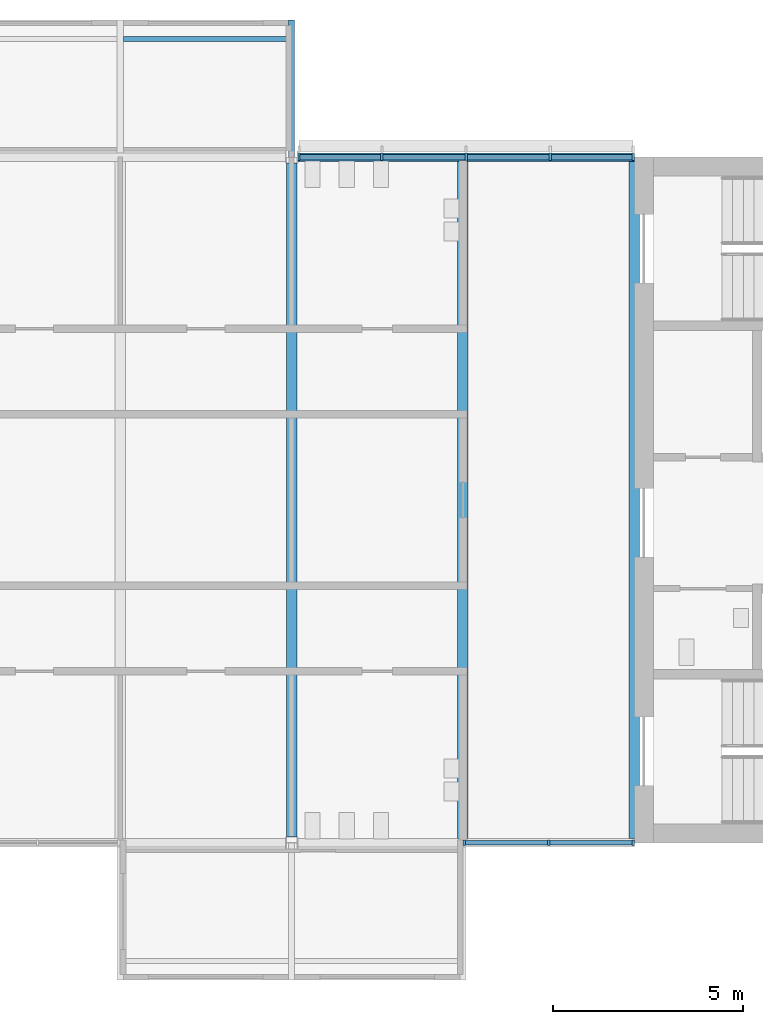
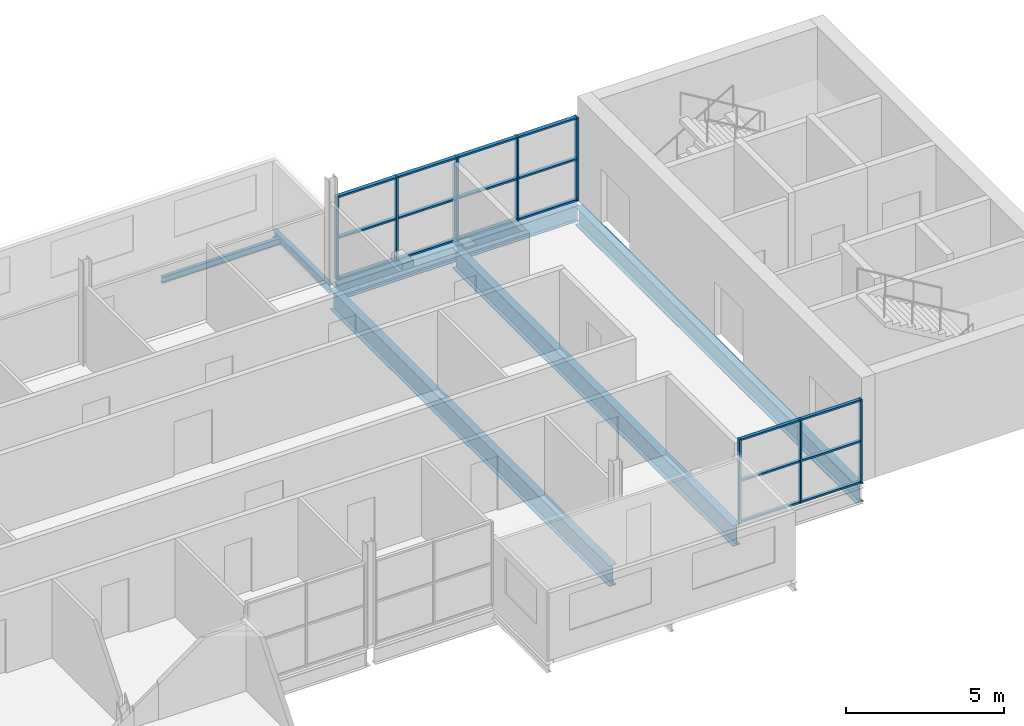
# One storey, part 3 of 10: 26 members, 6 beams, 2 elements without a shape of their own.
"""IFC4 building model written with IfcOpenShell, lengths in metres."""

import ifcopenshell
import ifcopenshell.guid

model = None  # the IFC model being written
_history = None  # IfcOwnerHistory: only IFC2X3 demands one
_inside = {}  # id of a spatial element -> (the spatial element, [elements in it])
_under = {}  # id of a project, library or spatial element -> (it, [spatial elements below it])
_declared = {}  # id of a project -> (the project, [libraries it declares])
_typed = {}  # id of a type object -> (the type object, [elements of that type])
_made_of = {}  # id of a material, layer set ... -> (it, [elements and type objects made of it])


def new_model(schema):
    """Start an empty IFC model of exactly this schema.

    Asked for "IFC4X3", IfcOpenShell would pick the latest addendum, in which some entities
    have other attributes; the version numbers below select the first issue.
    IFC2X3 requires an IfcOwnerHistory on every rooted entity: one is made here for all.
    """
    global model, _history
    if schema == "IFC4X3":
        model = ifcopenshell.file(schema_version=(4, 3, 0, 0))
    else:
        model = ifcopenshell.file(schema=schema)
    _inside.clear()
    _under.clear()
    _declared.clear()
    _typed.clear()
    _made_of.clear()
    _history = None
    if model.schema == "IFC2X3":
        org = make("IfcOrganization", Name="unknown")
        user = make(
            "IfcPersonAndOrganization",
            ThePerson=make("IfcPerson", FamilyName="unknown"),
            TheOrganization=org,
        )
        app = make(
            "IfcApplication",
            ApplicationDeveloper=org,
            Version="unknown",
            ApplicationFullName="unknown",
            ApplicationIdentifier="unknown",
        )
        _history = make(
            "IfcOwnerHistory",
            OwningUser=user,
            OwningApplication=app,
            ChangeAction="ADDED",
            CreationDate=0,
        )
    return model


def make(cls, **values):
    """One entity of the class cls with the attributes given. An attribute that is None is left unset."""
    return model.create_entity(
        cls, **{name: value for name, value in values.items() if value is not None}
    )


def rooted(cls, **values):
    """An entity with a GlobalId (a new one), such as an element, a storey or a relation."""
    return make(cls, GlobalId=ifcopenshell.guid.new(), OwnerHistory=_history, **values)


def si_unit(unit_type, name, prefix=None):
    """IfcSIUnit, for example si_unit("LENGTHUNIT", "METRE", prefix="MILLI")."""
    return make("IfcSIUnit", UnitType=unit_type, Prefix=prefix, Name=name)


def assignment(units):
    """IfcUnitAssignment: the units of a project."""
    return None if units is None else make("IfcUnitAssignment", Units=units)


def point(xyz):
    """IfcCartesianPoint."""
    return None if xyz is None else make("IfcCartesianPoint", Coordinates=xyz)


def direction(xyz):
    """IfcDirection."""
    return None if xyz is None else make("IfcDirection", DirectionRatios=xyz)


def frame(location, z_axis=None, x_axis=None):
    """IfcAxis2Placement3D, a coordinate frame: its origin and axes. An axis left out is left unset."""
    return make(
        "IfcAxis2Placement3D",
        Location=point(location),
        Axis=direction(z_axis),
        RefDirection=direction(x_axis),
    )


def frame_2d(location, x_axis=None):
    """IfcAxis2Placement2D, a coordinate frame in the plane: its origin and x axis."""
    return make(
        "IfcAxis2Placement2D", Location=point(location), RefDirection=direction(x_axis)
    )


def origin():
    """The frame at (0, 0, 0) with its axes left unset."""
    return frame((0.0, 0.0, 0.0))


def origin_2d():
    """The frame at (0, 0) in the plane with its x axis left unset."""
    return frame_2d((0.0, 0.0))


def place(relative_to, where):
    """IfcLocalPlacement: puts the frame where relative to a parent placement (None: the world)."""
    return make(
        "IfcLocalPlacement", PlacementRelTo=relative_to, RelativePlacement=where
    )


def context(
    kind, dimensions, precision=None, world=None, true_north=None, identifier=None
):
    """IfcGeometricRepresentationContext, for example the 3D "Model" context."""
    return make(
        "IfcGeometricRepresentationContext",
        ContextIdentifier=identifier,
        ContextType=kind,
        CoordinateSpaceDimension=dimensions,
        Precision=precision,
        WorldCoordinateSystem=world,
        TrueNorth=true_north,
    )


def subcontext(parent, identifier, kind, view, scale=None):
    """IfcGeometricRepresentationSubContext, for example "Body" below "Model"."""
    return make(
        "IfcGeometricRepresentationSubContext",
        ContextIdentifier=identifier,
        ContextType=kind,
        ParentContext=parent,
        TargetScale=scale,
        TargetView=view,
    )


def project(units=None, contexts=None):
    """IfcProject with its units and contexts."""
    return rooted(
        "IfcProject",
        Name="project",
        RepresentationContexts=contexts,
        UnitsInContext=assignment(units),
    )


def spatial(cls, under=None, at=None, **own):
    """A site, building, storey or space (cls), placed at a placement, below another one or the project."""
    s = rooted(cls, ObjectPlacement=at, **own)
    if under is not None:
        _under.setdefault(under.id(), (under, []))[1].append(s)
    return s


def profile(cls, at=None, kind="AREA", **sizes):
    """A parametric profile (cls). Its sizes go by their IFC names, for example OverallWidth=200.0."""
    return make(cls, ProfileType=kind, Position=at, **sizes)


def rectangle(**sizes):
    """IfcRectangleProfileDef."""
    return profile("IfcRectangleProfileDef", **sizes)


def i_section(**sizes):
    """IfcIShapeProfileDef."""
    return profile("IfcIShapeProfileDef", **sizes)


def extrude(swept, where, along, depth):
    """IfcExtrudedAreaSolid: the profile swept, set in the frame where, extruded along a direction by depth."""
    return make(
        "IfcExtrudedAreaSolid",
        SweptArea=swept,
        Position=where,
        ExtrudedDirection=direction(along),
        Depth=depth,
    )


def shape(context_of_items, identifier, shape_type, items):
    """IfcShapeRepresentation: the items that make up one representation, for example the "Body"."""
    return make(
        "IfcShapeRepresentation",
        ContextOfItems=context_of_items,
        RepresentationIdentifier=identifier,
        RepresentationType=shape_type,
        Items=items,
    )


def material(Name=None, Category=None):
    """IfcMaterial."""
    return make("IfcMaterial", Name=Name, Category=Category)


def layer(
    of_material, thickness, ventilated=None, Name=None, Category=None, Priority=None
):
    """IfcMaterialLayer: one layer of a wall or slab, of a material (None: an air gap)."""
    return make(
        "IfcMaterialLayer",
        Material=of_material,
        LayerThickness=thickness,
        IsVentilated=ventilated,
        Name=Name,
        Category=Category,
        Priority=Priority,
    )


def layer_set(layers, Name=None):
    """IfcMaterialLayerSet."""
    return make("IfcMaterialLayerSet", MaterialLayers=layers, LayerSetName=Name)


def material_profile(
    of_material, cross_section, Name=None, Category=None, Priority=None
):
    """IfcMaterialProfile: a cross section and its material."""
    return make(
        "IfcMaterialProfile",
        Name=Name,
        Material=of_material,
        Profile=cross_section,
        Priority=Priority,
        Category=Category,
    )


def profile_set(profiles, Name=None, composite=None):
    """IfcMaterialProfileSet."""
    return make(
        "IfcMaterialProfileSet",
        Name=Name,
        MaterialProfiles=profiles,
        CompositeProfile=composite,
    )


def made_of(thing, what):
    """Note that an element or type object is made of a material, layer set ...; save() writes the relation."""
    if what is not None:
        _made_of.setdefault(what.id(), (what, []))[1].append(thing)
    return thing


def type_object(cls, material=None, **own):
    """A type object (cls), such as IfcWallType, which elements share."""
    return made_of(rooted(cls, **own), material)


def element(
    cls,
    number,
    at=None,
    inside=None,
    cuts=None,
    type_object=None,
    material=None,
    context=None,
    identifier="Body",
    shape_type=None,
    held_by="IfcProductDefinitionShape",
    body=None,
    shapes=None,
    **own,
):
    """One element of the class cls, such as IfcWall. Its Tag is "e" and its number.

    at: its placement. inside: the storey or other place that contains it. cuts: it is an
    opening in that element (IfcRelVoidsElement). A single representation is given by context,
    identifier, shape_type and body (its items); several are given by shapes. held_by: the class
    of the entity that holds the representations. save() writes the other relations.
    """
    e = rooted(cls, Tag="e%d" % number, ObjectPlacement=at, **own)
    if body is not None:
        shapes = [shape(context, identifier, shape_type, body)]
    if shapes is not None:
        e.Representation = make(held_by, Representations=shapes)
    if inside is not None:
        _inside.setdefault(inside.id(), (inside, []))[1].append(e)
    if cuts is not None:
        rooted(
            "IfcRelVoidsElement", RelatingBuildingElement=cuts, RelatedOpeningElement=e
        )
    if type_object is not None:
        _typed.setdefault(type_object.id(), (type_object, []))[1].append(e)
    return made_of(e, material)


def aggregate(whole, parts):
    """IfcRelAggregates: a whole, such as a stair, and the parts it consists of."""
    return rooted("IfcRelAggregates", RelatingObject=whole, RelatedObjects=parts)


def save(model, path):
    """Write the relations noted so far, then the file.

    IfcRelAggregates (storeys below a building ...), IfcRelContainedInSpatialStructure (elements
    in a storey), IfcRelDefinesByType, IfcRelAssociatesMaterial and IfcRelDeclares: one each for
    every whole, place, type object, material and project.
    """
    for whole, parts in _under.values():
        aggregate(whole, parts)
    for where, things in _inside.values():
        rooted(
            "IfcRelContainedInSpatialStructure",
            RelatedElements=things,
            RelatingStructure=where,
        )
    for kind, things in _typed.values():
        rooted("IfcRelDefinesByType", RelatedObjects=things, RelatingType=kind)
    for what, things in _made_of.values():
        rooted("IfcRelAssociatesMaterial", RelatedObjects=things, RelatingMaterial=what)
    for by, libraries in _declared.values():
        rooted("IfcRelDeclares", RelatingContext=by, RelatedDefinitions=libraries)
    model.write(path)


model = new_model("IFC4")

# Units and contexts
model_context = context("Model", 3, precision=1e-05, world=origin(), true_north=direction((0.0, 1.0)))
body_context = subcontext(model_context, "Body", "Model", "MODEL_VIEW")
ifc_project = project(units=[si_unit("LENGTHUNIT", "METRE"), si_unit("AREAUNIT", "SQUARE_METRE"), si_unit("VOLUMEUNIT", "CUBIC_METRE"), si_unit("PLANEANGLEUNIT", "RADIAN"), si_unit("MASSUNIT", "GRAM", prefix="KILO")], contexts=[model_context])

# Site, building, storey
site_placement = place(None, origin())
site = spatial("IfcSite", under=ifc_project, at=site_placement, CompositionType="ELEMENT")
building_placement = place(site_placement, origin())
building = spatial("IfcBuilding", under=site, at=building_placement, Name="Corbel Yard City Hall", CompositionType="ELEMENT")
storey_placement = place(building_placement, frame((0.0, 0.0, 59.199951171875)))
storey = spatial("IfcBuildingStorey", under=building, at=storey_placement, Name="L14", CompositionType="ELEMENT", Elevation=59.199951171875)

# Beams
ifc_material_1 = material(Name="Steel Grade 300 (300 MPa yield)", Category="steel")
ifc_material_profile_1 = material_profile(ifc_material_1, i_section(OverallWidth=0.22900390625, OverallDepth=0.612060546875, WebThickness=0.011962890625, FlangeThickness=0.01953125, at=origin_2d()), Name="610UB125")
ifc_profile_set_1 = profile_set([ifc_material_profile_1], Name="Steel Grade 300 (300 MPa yield)")
beam_type_1 = type_object("IfcBeamType", Name="Edge beam 610UB125", PredefinedType="BEAM", material=ifc_profile_set_1)
beam_1_placement = place(storey_placement, frame((36.16357421875, 117.0, -0.4560546875), z_axis=(1.0, 0.0, 0.0), x_axis=(0.0, 1.0, 0.0)))
element("IfcBeam", 1, at=beam_1_placement, inside=storey, type_object=beam_type_1, Name="Edge beam 610UB125 EB7 L14tower", PredefinedType="BEAM", context=body_context, shape_type="SweptSolid", body=[
    extrude(i_section(OverallWidth=0.22900390625, OverallDepth=0.612060546875, WebThickness=0.011962890625, FlangeThickness=0.01953125, at=origin_2d()), origin(), (0.0, 0.0, 1.0), 8.83642578125),
])
ifc_material_2 = material(Name="Steel Grade 350", Category="steel")
ifc_material_profile_2 = material_profile(ifc_material_2, i_section(OverallWidth=0.27490234375, OverallDepth=0.800048828125, WebThickness=0.010009765625, FlangeThickness=0.02001953125, at=origin_2d()), Name="800WB146")
ifc_profile_set_2 = profile_set([ifc_material_profile_2], Name="Steel Grade 350")
beam_type_2 = type_object("IfcBeamType", Name="Long-span beam 800WB146", PredefinedType="BEAM", material=ifc_profile_set_2)
beam_2_placement = place(storey_placement, frame((36.0, 99.155517578125, -0.550048828125), z_axis=(0.0, 1.0, 0.0), x_axis=(-1.0, 0.0, 0.0)))
element("IfcBeam", 2, at=beam_2_placement, inside=storey, type_object=beam_type_2, Name="Long-span beam 800WB146 SB8 L14tower", PredefinedType="BEAM", context=body_context, shape_type="SweptSolid", body=[
    extrude(i_section(OverallWidth=0.27490234375, OverallDepth=0.800048828125, WebThickness=0.010009765625, FlangeThickness=0.02001953125, at=origin_2d()), origin(), (0.0, 0.0, 1.0), 17.68896484375),
])
ifc_material_profile_3 = material_profile(ifc_material_2, i_section(OverallWidth=0.27490234375, OverallDepth=0.716064453125, WebThickness=0.010009765625, FlangeThickness=0.028076171875, at=origin_2d()), Name="700WB173")
ifc_profile_set_3 = profile_set([ifc_material_profile_3], Name="Steel Grade 350")
beam_type_3 = type_object("IfcBeamType", Name="Long-span edge beam 700WB173", PredefinedType="BEAM", material=ifc_profile_set_3)
beam_3_placement = place(storey_placement, frame((45.0, 99.114501953125, -0.508056640625), z_axis=(0.0, 1.0, 0.0), x_axis=(-1.0, 0.0, 0.0)))
element("IfcBeam", 3, at=beam_3_placement, inside=storey, type_object=beam_type_3, Name="Long-span edge beam 700WB173 EB10 L14tower", PredefinedType="BEAM", context=body_context, shape_type="SweptSolid", body=[
    extrude(i_section(OverallWidth=0.27490234375, OverallDepth=0.716064453125, WebThickness=0.010009765625, FlangeThickness=0.028076171875, at=origin_2d()), origin(), (0.0, 0.0, 1.0), 17.77099609375),
])
ifc_material_profile_4 = material_profile(ifc_material_2, i_section(OverallWidth=0.27490234375, OverallDepth=0.800048828125, WebThickness=0.010009765625, FlangeThickness=0.02001953125, at=origin_2d()), Name="800WB146")
ifc_profile_set_4 = profile_set([ifc_material_profile_4], Name="Steel Grade 350")
beam_type_4 = type_object("IfcBeamType", Name="Long-span secondary beam 800WB146", PredefinedType="JOIST", material=ifc_profile_set_4)
beam_4_placement = place(storey_placement, frame((40.5, 99.114501953125, -0.550048828125), z_axis=(0.0, 1.0, 0.0), x_axis=(-1.0, 0.0, 0.0)))
element("IfcBeam", 4, at=beam_4_placement, inside=storey, type_object=beam_type_4, Name="Long-span secondary beam 800WB146 SB7 L14tower", PredefinedType="JOIST", context=body_context, shape_type="SweptSolid", body=[
    extrude(i_section(OverallWidth=0.27490234375, OverallDepth=0.800048828125, WebThickness=0.010009765625, FlangeThickness=0.02001953125, at=origin_2d()), origin(), (0.0, 0.0, 1.0), 17.77099609375),
])

# Curtain wall, members
ifc_material_3 = material(Name="Aluminium extrusion", Category="aluminium")
ifc_layer_1 = layer(ifc_material_3, 0.14990234375)
ifc_layer_set_1 = layer_set([ifc_layer_1], Name="Aluminium extrusion")
curtain_wall_type_1 = type_object("IfcCurtainWallType", Name="CW2", PredefinedType="USERDEFINED", material=ifc_layer_set_1)
curtain_wall_1_placement = place(storey_placement, origin())
curtain_wall_1 = element("IfcCurtainWall", 5, at=curtain_wall_1_placement, inside=storey, type_object=curtain_wall_type_1, Name="Curtain wall CW2 L14", ObjectType="CURTAIN WALL", PredefinedType="USERDEFINED")
ifc_material_profile_5 = material_profile(ifc_material_3, rectangle(XDim=0.14990234375, YDim=0.06494140625, at=origin_2d()), Name="150x65")
ifc_profile_set_5 = profile_set([ifc_material_profile_5], Name="Aluminium extrusion")
member_type_1 = type_object("IfcMemberType", Name="ML2", PredefinedType="MULLION", material=ifc_profile_set_5)
member_1_placement = place(storey_placement, frame((40.532470703125, 99.0, 0.0), z_axis=(0.0, 0.0, 1.0), x_axis=(0.0, 1.0, 0.0)))
member_1 = element("IfcMember", 6, at=member_1_placement, type_object=member_type_1, Name="CW2 mullion 1", PredefinedType="MULLION", context=body_context, shape_type="SweptSolid", body=[
    extrude(rectangle(XDim=0.14990234375, YDim=0.06494140625, at=origin_2d()), origin(), (0.0, 0.0, 1.0), 3.238037109375),
])
member_2_placement = place(storey_placement, frame((42.75, 99.0, 0.0), z_axis=(0.0, 0.0, 1.0), x_axis=(0.0, 1.0, 0.0)))
member_2 = element("IfcMember", 7, at=member_2_placement, type_object=member_type_1, Name="CW2 mullion 2", PredefinedType="MULLION", context=body_context, shape_type="SweptSolid", body=[
    extrude(rectangle(XDim=0.14990234375, YDim=0.06494140625, at=origin_2d()), origin(), (0.0, 0.0, 1.0), 3.238037109375),
])
member_3_placement = place(storey_placement, frame((44.967529296875, 99.0, 0.0), z_axis=(0.0, 0.0, 1.0), x_axis=(0.0, 1.0, 0.0)))
member_3 = element("IfcMember", 8, at=member_3_placement, type_object=member_type_1, Name="CW2 mullion 3", PredefinedType="MULLION", context=body_context, shape_type="SweptSolid", body=[
    extrude(rectangle(XDim=0.14990234375, YDim=0.06494140625, at=origin_2d()), origin(), (0.0, 0.0, 1.0), 3.238037109375),
])

ifc_layer_2 = layer(ifc_material_3, 0.179931640625)
ifc_layer_set_2 = layer_set([ifc_layer_2], Name="Aluminium extrusion")
curtain_wall_type_2 = type_object("IfcCurtainWallType", Name="CW6", PredefinedType="USERDEFINED", material=ifc_layer_set_2)
curtain_wall_2_placement = place(storey_placement, origin())
curtain_wall_2 = element("IfcCurtainWall", 9, at=curtain_wall_2_placement, inside=storey, type_object=curtain_wall_type_2, Name="Curtain wall CW6 L14", ObjectType="CURTAIN WALL", PredefinedType="USERDEFINED")
ifc_material_profile_6 = material_profile(ifc_material_3, rectangle(XDim=0.179931640625, YDim=0.06494140625, at=origin_2d()), Name="180x65")
ifc_profile_set_6 = profile_set([ifc_material_profile_6], Name="Aluminium extrusion")
member_type_2 = type_object("IfcMemberType", Name="ML6", PredefinedType="MULLION", material=ifc_profile_set_6)
member_4_placement = place(storey_placement, frame((36.196044921875, 117.0, 0.0), z_axis=(0.0, 0.0, 1.0), x_axis=(0.0, 1.0, 0.0)))
member_4 = element("IfcMember", 10, at=member_4_placement, type_object=member_type_2, Name="CW6 mullion 1", PredefinedType="MULLION", context=body_context, shape_type="SweptSolid", body=[
    extrude(rectangle(XDim=0.179931640625, YDim=0.06494140625, at=origin_2d()), origin(), (0.0, 0.0, 1.0), 3.238037109375),
])
member_5_placement = place(storey_placement, frame((38.37255859375, 117.0, 0.0), z_axis=(0.0, 0.0, 1.0), x_axis=(0.0, 1.0, 0.0)))
member_5 = element("IfcMember", 11, at=member_5_placement, type_object=member_type_2, Name="CW6 mullion 2", PredefinedType="MULLION", context=body_context, shape_type="SweptSolid", body=[
    extrude(rectangle(XDim=0.179931640625, YDim=0.06494140625, at=origin_2d()), origin(), (0.0, 0.0, 1.0), 3.238037109375),
])
member_6_placement = place(storey_placement, frame((40.581787109375, 117.0, 0.0), z_axis=(0.0, 0.0, 1.0), x_axis=(0.0, 1.0, 0.0)))
member_6 = element("IfcMember", 12, at=member_6_placement, type_object=member_type_2, Name="CW6 mullion 3", PredefinedType="MULLION", context=body_context, shape_type="SweptSolid", body=[
    extrude(rectangle(XDim=0.179931640625, YDim=0.06494140625, at=origin_2d()), origin(), (0.0, 0.0, 1.0), 3.238037109375),
])
member_7_placement = place(storey_placement, frame((42.790771484375, 117.0, 0.0), z_axis=(0.0, 0.0, 1.0), x_axis=(0.0, 1.0, 0.0)))
member_7 = element("IfcMember", 13, at=member_7_placement, type_object=member_type_2, Name="CW6 mullion 4", PredefinedType="MULLION", context=body_context, shape_type="SweptSolid", body=[
    extrude(rectangle(XDim=0.179931640625, YDim=0.06494140625, at=origin_2d()), origin(), (0.0, 0.0, 1.0), 3.238037109375),
])
member_8_placement = place(storey_placement, frame((44.967529296875, 117.0, 0.0), z_axis=(0.0, 0.0, 1.0), x_axis=(0.0, 1.0, 0.0)))
member_8 = element("IfcMember", 14, at=member_8_placement, type_object=member_type_2, Name="CW6 mullion 5", PredefinedType="MULLION", context=body_context, shape_type="SweptSolid", body=[
    extrude(rectangle(XDim=0.179931640625, YDim=0.06494140625, at=origin_2d()), origin(), (0.0, 0.0, 1.0), 3.238037109375),
])

# Beams
ifc_material_profile_7 = material_profile(ifc_material_1, i_section(OverallWidth=0.166015625, OverallDepth=0.306884765625, WebThickness=0.006591796875, FlangeThickness=0.01171875, at=origin_2d()), Name="310UB46.2")
ifc_profile_set_7 = profile_set([ifc_material_profile_7], Name="Steel Grade 300 (300 MPa yield)")
beam_type_5 = type_object("IfcBeamType", Name="Pod stub beam 310UB46.2", PredefinedType="BEAM", material=ifc_profile_set_7)
beam_5_placement = place(storey_placement, frame((36.0, 117.0078125, -0.303466796875), z_axis=(0.0, 1.0, 0.0), x_axis=(-1.0, 0.0, 0.0)))
element("IfcBeam", 15, at=beam_5_placement, inside=storey, type_object=beam_type_5, Name="Pod stub 310UB46.2 CB1 L14", PredefinedType="BEAM", context=body_context, shape_type="SweptSolid", body=[
    extrude(i_section(OverallWidth=0.166015625, OverallDepth=0.306884765625, WebThickness=0.006591796875, FlangeThickness=0.01171875, at=origin_2d()), origin(), (0.0, 0.0, 1.0), 3.59228515625),
])
ifc_material_profile_8 = material_profile(ifc_material_1, i_section(OverallWidth=0.1240234375, OverallDepth=0.248046875, WebThickness=0.0048828125, FlangeThickness=0.008056640625, at=origin_2d()), Name="250UB25.7")
ifc_profile_set_8 = profile_set([ifc_material_profile_8], Name="Steel Grade 300 (300 MPa yield)")
beam_type_6 = type_object("IfcBeamType", Name="Pod tip beam", PredefinedType="BEAM", material=ifc_profile_set_8)
beam_6_placement = place(storey_placement, frame((31.5830078125, 120.10009765625, -0.27392578125), z_axis=(1.0, 0.0, 0.0), x_axis=(0.0, 1.0, 0.0)))
element("IfcBeam", 16, at=beam_6_placement, inside=storey, type_object=beam_type_6, Name="Pod tip beam", PredefinedType="BEAM", context=body_context, shape_type="SweptSolid", body=[
    extrude(i_section(OverallWidth=0.1240234375, OverallDepth=0.248046875, WebThickness=0.0048828125, FlangeThickness=0.008056640625, at=origin_2d()), origin(), (0.0, 0.0, 1.0), 4.333984375),
])

# Member
ifc_material_profile_9 = material_profile(ifc_material_3, rectangle(XDim=0.1201171875, YDim=0.06494140625, at=origin_2d()), Name="120x65")
ifc_profile_set_9 = profile_set([ifc_material_profile_9], Name="Aluminium extrusion")
member_type_3 = type_object("IfcMemberType", Name="TR2", PredefinedType="USERDEFINED", material=ifc_profile_set_9)
member_9_placement = place(storey_placement, frame((40.56494140625, 99.0, 0.032470703125), z_axis=(1.0, 0.0, 0.0), x_axis=(0.0, 1.0, 0.0)))
member_9 = element("IfcMember", 17, at=member_9_placement, type_object=member_type_3, Name="CW2 transom 1.1", ObjectType="TRANSOM", PredefinedType="USERDEFINED", context=body_context, shape_type="SweptSolid", body=[
    extrude(rectangle(XDim=0.1201171875, YDim=0.06494140625, at=origin_2d()), origin(), (0.0, 0.0, 1.0), 2.152587890625),
])

member_10_placement = place(storey_placement, frame((40.56494140625, 99.0, 1.619140625), z_axis=(1.0, 0.0, 0.0), x_axis=(0.0, 1.0, 0.0)))
member_10 = element("IfcMember", 18, at=member_10_placement, type_object=member_type_3, Name="CW2 transom 1.2", ObjectType="TRANSOM", PredefinedType="USERDEFINED", context=body_context, shape_type="SweptSolid", body=[
    extrude(rectangle(XDim=0.1201171875, YDim=0.06494140625, at=origin_2d()), origin(), (0.0, 0.0, 1.0), 2.152587890625),
])

member_11_placement = place(storey_placement, frame((40.56494140625, 99.0, 3.20556640625), z_axis=(1.0, 0.0, 0.0), x_axis=(0.0, 1.0, 0.0)))
member_11 = element("IfcMember", 19, at=member_11_placement, type_object=member_type_3, Name="CW2 transom 1.3", ObjectType="TRANSOM", PredefinedType="USERDEFINED", context=body_context, shape_type="SweptSolid", body=[
    extrude(rectangle(XDim=0.1201171875, YDim=0.06494140625, at=origin_2d()), origin(), (0.0, 0.0, 1.0), 2.152587890625),
])

member_12_placement = place(storey_placement, frame((42.782470703125, 99.0, 0.032470703125), z_axis=(1.0, 0.0, 0.0), x_axis=(0.0, 1.0, 0.0)))
member_12 = element("IfcMember", 20, at=member_12_placement, type_object=member_type_3, Name="CW2 transom 2.1", ObjectType="TRANSOM", PredefinedType="USERDEFINED", context=body_context, shape_type="SweptSolid", body=[
    extrude(rectangle(XDim=0.1201171875, YDim=0.06494140625, at=origin_2d()), origin(), (0.0, 0.0, 1.0), 2.152587890625),
])

member_13_placement = place(storey_placement, frame((42.782470703125, 99.0, 1.619140625), z_axis=(1.0, 0.0, 0.0), x_axis=(0.0, 1.0, 0.0)))
member_13 = element("IfcMember", 21, at=member_13_placement, type_object=member_type_3, Name="CW2 transom 2.2", ObjectType="TRANSOM", PredefinedType="USERDEFINED", context=body_context, shape_type="SweptSolid", body=[
    extrude(rectangle(XDim=0.1201171875, YDim=0.06494140625, at=origin_2d()), origin(), (0.0, 0.0, 1.0), 2.152587890625),
])

member_14_placement = place(storey_placement, frame((42.782470703125, 99.0, 3.20556640625), z_axis=(1.0, 0.0, 0.0), x_axis=(0.0, 1.0, 0.0)))
member_14 = element("IfcMember", 22, at=member_14_placement, type_object=member_type_3, Name="CW2 transom 2.3", ObjectType="TRANSOM", PredefinedType="USERDEFINED", context=body_context, shape_type="SweptSolid", body=[
    extrude(rectangle(XDim=0.1201171875, YDim=0.06494140625, at=origin_2d()), origin(), (0.0, 0.0, 1.0), 2.152587890625),
])

aggregate(curtain_wall_1, [member_1, member_2, member_3, member_9, member_10, member_11, member_12, member_13, member_14])

ifc_material_profile_10 = material_profile(ifc_material_3, rectangle(XDim=0.139892578125, YDim=0.06494140625, at=origin_2d()), Name="140x65")
ifc_profile_set_10 = profile_set([ifc_material_profile_10], Name="Aluminium extrusion")
member_type_4 = type_object("IfcMemberType", Name="TR6", PredefinedType="USERDEFINED", material=ifc_profile_set_10)
member_15_placement = place(storey_placement, frame((36.228515625, 117.0, 0.032470703125), z_axis=(1.0, 0.0, 0.0), x_axis=(0.0, 1.0, 0.0)))
member_15 = element("IfcMember", 23, at=member_15_placement, type_object=member_type_4, Name="CW6 transom 1.1", ObjectType="TRANSOM", PredefinedType="USERDEFINED", context=body_context, shape_type="SweptSolid", body=[
    extrude(rectangle(XDim=0.139892578125, YDim=0.06494140625, at=origin_2d()), origin(), (0.0, 0.0, 1.0), 2.111572265625),
])

member_16_placement = place(storey_placement, frame((36.228515625, 117.0, 1.619140625), z_axis=(1.0, 0.0, 0.0), x_axis=(0.0, 1.0, 0.0)))
member_16 = element("IfcMember", 24, at=member_16_placement, type_object=member_type_4, Name="CW6 transom 1.2", ObjectType="TRANSOM", PredefinedType="USERDEFINED", context=body_context, shape_type="SweptSolid", body=[
    extrude(rectangle(XDim=0.139892578125, YDim=0.06494140625, at=origin_2d()), origin(), (0.0, 0.0, 1.0), 2.111572265625),
])

member_17_placement = place(storey_placement, frame((36.228515625, 117.0, 3.20556640625), z_axis=(1.0, 0.0, 0.0), x_axis=(0.0, 1.0, 0.0)))
member_17 = element("IfcMember", 25, at=member_17_placement, type_object=member_type_4, Name="CW6 transom 1.3", ObjectType="TRANSOM", PredefinedType="USERDEFINED", context=body_context, shape_type="SweptSolid", body=[
    extrude(rectangle(XDim=0.139892578125, YDim=0.06494140625, at=origin_2d()), origin(), (0.0, 0.0, 1.0), 2.111572265625),
])

member_18_placement = place(storey_placement, frame((38.405029296875, 117.0, 0.032470703125), z_axis=(1.0, 0.0, 0.0), x_axis=(0.0, 1.0, 0.0)))
member_18 = element("IfcMember", 26, at=member_18_placement, type_object=member_type_4, Name="CW6 transom 2.1", ObjectType="TRANSOM", PredefinedType="USERDEFINED", context=body_context, shape_type="SweptSolid", body=[
    extrude(rectangle(XDim=0.139892578125, YDim=0.06494140625, at=origin_2d()), origin(), (0.0, 0.0, 1.0), 2.144287109375),
])

member_19_placement = place(storey_placement, frame((38.405029296875, 117.0, 1.619140625), z_axis=(1.0, 0.0, 0.0), x_axis=(0.0, 1.0, 0.0)))
member_19 = element("IfcMember", 27, at=member_19_placement, type_object=member_type_4, Name="CW6 transom 2.2", ObjectType="TRANSOM", PredefinedType="USERDEFINED", context=body_context, shape_type="SweptSolid", body=[
    extrude(rectangle(XDim=0.139892578125, YDim=0.06494140625, at=origin_2d()), origin(), (0.0, 0.0, 1.0), 2.144287109375),
])

member_20_placement = place(storey_placement, frame((38.405029296875, 117.0, 3.20556640625), z_axis=(1.0, 0.0, 0.0), x_axis=(0.0, 1.0, 0.0)))
member_20 = element("IfcMember", 28, at=member_20_placement, type_object=member_type_4, Name="CW6 transom 2.3", ObjectType="TRANSOM", PredefinedType="USERDEFINED", context=body_context, shape_type="SweptSolid", body=[
    extrude(rectangle(XDim=0.139892578125, YDim=0.06494140625, at=origin_2d()), origin(), (0.0, 0.0, 1.0), 2.144287109375),
])

member_21_placement = place(storey_placement, frame((40.6142578125, 117.0, 0.032470703125), z_axis=(1.0, 0.0, 0.0), x_axis=(0.0, 1.0, 0.0)))
member_21 = element("IfcMember", 29, at=member_21_placement, type_object=member_type_4, Name="CW6 transom 3.1", ObjectType="TRANSOM", PredefinedType="USERDEFINED", context=body_context, shape_type="SweptSolid", body=[
    extrude(rectangle(XDim=0.139892578125, YDim=0.06494140625, at=origin_2d()), origin(), (0.0, 0.0, 1.0), 2.14404296875),
])

member_22_placement = place(storey_placement, frame((40.6142578125, 117.0, 1.619140625), z_axis=(1.0, 0.0, 0.0), x_axis=(0.0, 1.0, 0.0)))
member_22 = element("IfcMember", 30, at=member_22_placement, type_object=member_type_4, Name="CW6 transom 3.2", ObjectType="TRANSOM", PredefinedType="USERDEFINED", context=body_context, shape_type="SweptSolid", body=[
    extrude(rectangle(XDim=0.139892578125, YDim=0.06494140625, at=origin_2d()), origin(), (0.0, 0.0, 1.0), 2.14404296875),
])

member_23_placement = place(storey_placement, frame((40.6142578125, 117.0, 3.20556640625), z_axis=(1.0, 0.0, 0.0), x_axis=(0.0, 1.0, 0.0)))
member_23 = element("IfcMember", 31, at=member_23_placement, type_object=member_type_4, Name="CW6 transom 3.3", ObjectType="TRANSOM", PredefinedType="USERDEFINED", context=body_context, shape_type="SweptSolid", body=[
    extrude(rectangle(XDim=0.139892578125, YDim=0.06494140625, at=origin_2d()), origin(), (0.0, 0.0, 1.0), 2.14404296875),
])

member_24_placement = place(storey_placement, frame((42.823486328125, 117.0, 0.032470703125), z_axis=(1.0, 0.0, 0.0), x_axis=(0.0, 1.0, 0.0)))
member_24 = element("IfcMember", 32, at=member_24_placement, type_object=member_type_4, Name="CW6 transom 4.1", ObjectType="TRANSOM", PredefinedType="USERDEFINED", context=body_context, shape_type="SweptSolid", body=[
    extrude(rectangle(XDim=0.139892578125, YDim=0.06494140625, at=origin_2d()), origin(), (0.0, 0.0, 1.0), 2.111572265625),
])

member_25_placement = place(storey_placement, frame((42.823486328125, 117.0, 1.619140625), z_axis=(1.0, 0.0, 0.0), x_axis=(0.0, 1.0, 0.0)))
member_25 = element("IfcMember", 33, at=member_25_placement, type_object=member_type_4, Name="CW6 transom 4.2", ObjectType="TRANSOM", PredefinedType="USERDEFINED", context=body_context, shape_type="SweptSolid", body=[
    extrude(rectangle(XDim=0.139892578125, YDim=0.06494140625, at=origin_2d()), origin(), (0.0, 0.0, 1.0), 2.111572265625),
])

member_26_placement = place(storey_placement, frame((42.823486328125, 117.0, 3.20556640625), z_axis=(1.0, 0.0, 0.0), x_axis=(0.0, 1.0, 0.0)))
member_26 = element("IfcMember", 34, at=member_26_placement, type_object=member_type_4, Name="CW6 transom 4.3", ObjectType="TRANSOM", PredefinedType="USERDEFINED", context=body_context, shape_type="SweptSolid", body=[
    extrude(rectangle(XDim=0.139892578125, YDim=0.06494140625, at=origin_2d()), origin(), (0.0, 0.0, 1.0), 2.111572265625),
])

aggregate(curtain_wall_2, [member_4, member_5, member_6, member_7, member_8, member_15, member_16, member_17, member_18, member_19, member_20, member_21, member_22, member_23, member_24, member_25, member_26])

save(model, "model.ifc")
